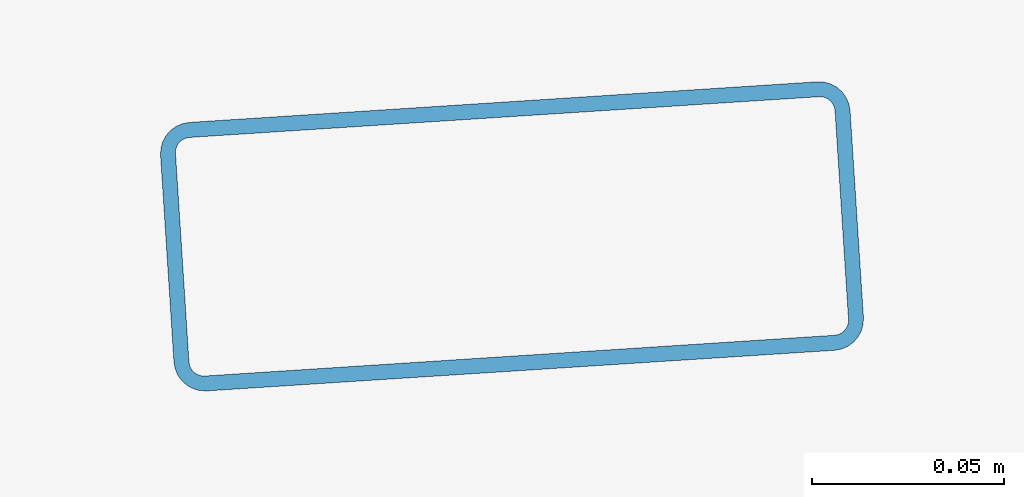
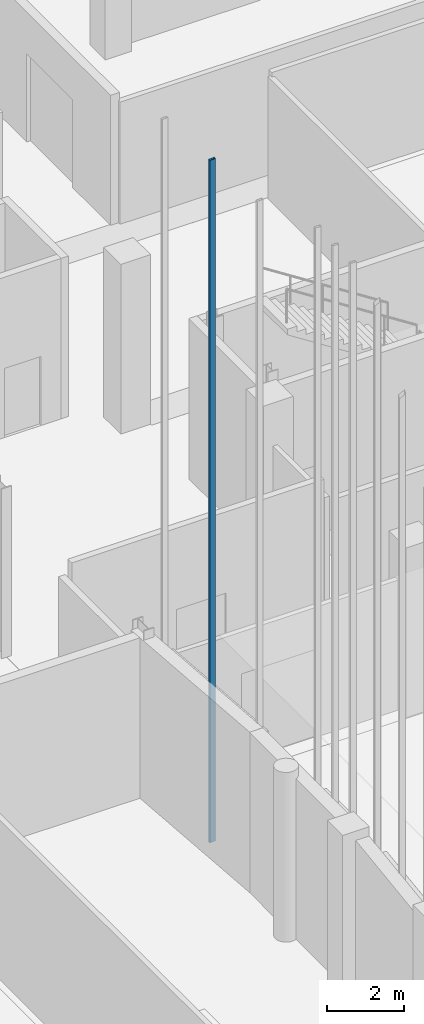
# One storey, part 129 of 372: 1 member.
"""IFC4 building model written with IfcOpenShell, lengths in metres."""

from ifc_helpers import new_model, si_unit, direction, frame, origin, origin_2d, place, context, subcontext, project, spatial, hollow_rectangle, extrude, material, material_profile, profile_set, type_object, element, save


model = new_model("IFC4")

# Units and contexts
model_context = context("Model", 3, precision=1e-05, world=origin(), true_north=direction((0.0, 1.0)))
body_context = subcontext(model_context, "Body", "Model", "MODEL_VIEW")
ifc_project = project(units=[si_unit("LENGTHUNIT", "METRE"), si_unit("AREAUNIT", "SQUARE_METRE"), si_unit("VOLUMEUNIT", "CUBIC_METRE"), si_unit("PLANEANGLEUNIT", "RADIAN"), si_unit("MASSUNIT", "GRAM", prefix="KILO")], contexts=[model_context])

# Site, building, storey
site_placement = place(None, origin())
site = spatial("IfcSite", under=ifc_project, at=site_placement, CompositionType="ELEMENT")
building_placement = place(site_placement, origin())
building = spatial("IfcBuilding", under=site, at=building_placement, Name="Kaelora Sail Theatre", CompositionType="ELEMENT")
storey_placement = place(building_placement, origin())
storey = spatial("IfcBuildingStorey", under=building, at=storey_placement, Name="L00", CompositionType="ELEMENT", Elevation=0.0)

# Member
ifc_material = material(Name="Anodised aluminium 6063-T6", Category="aluminium")
ifc_material_profile = material_profile(ifc_material, hollow_rectangle(XDim=0.070068359375, YDim=0.179931640625, WallThickness=0.00390625, InnerFilletRadius=0.00390625, OuterFilletRadius=0.008056640625, at=origin_2d()), Name="ALU-MULL 70x180x4")
ifc_profile_set = profile_set([ifc_material_profile], Name="Anodised aluminium 6063-T6")
member_type = type_object("IfcMemberType", Name="ARC-MEM-PST-160", PredefinedType="POST", material=ifc_profile_set)
member_placement = place(storey_placement, frame((58.660400390625, 58.239501953125, 0.0), z_axis=(0.0, 0.0, 1.0), x_axis=(0.064532308253, -0.997915618272, 0.0)))
element("IfcMember", 1, at=member_placement, inside=storey, type_object=member_type, Name="Main Theatre Sail Drum solar louvre vertical support post C1-2", PredefinedType="POST", context=body_context, shape_type="SweptSolid", body=[
    extrude(hollow_rectangle(XDim=0.070068359375, YDim=0.179931640625, WallThickness=0.00390625, InnerFilletRadius=0.00390625, OuterFilletRadius=0.008056640625, at=origin_2d()), origin(), (0.0, 0.0, 1.0), 21.716796875),
])

save(model, "model.ifc")
